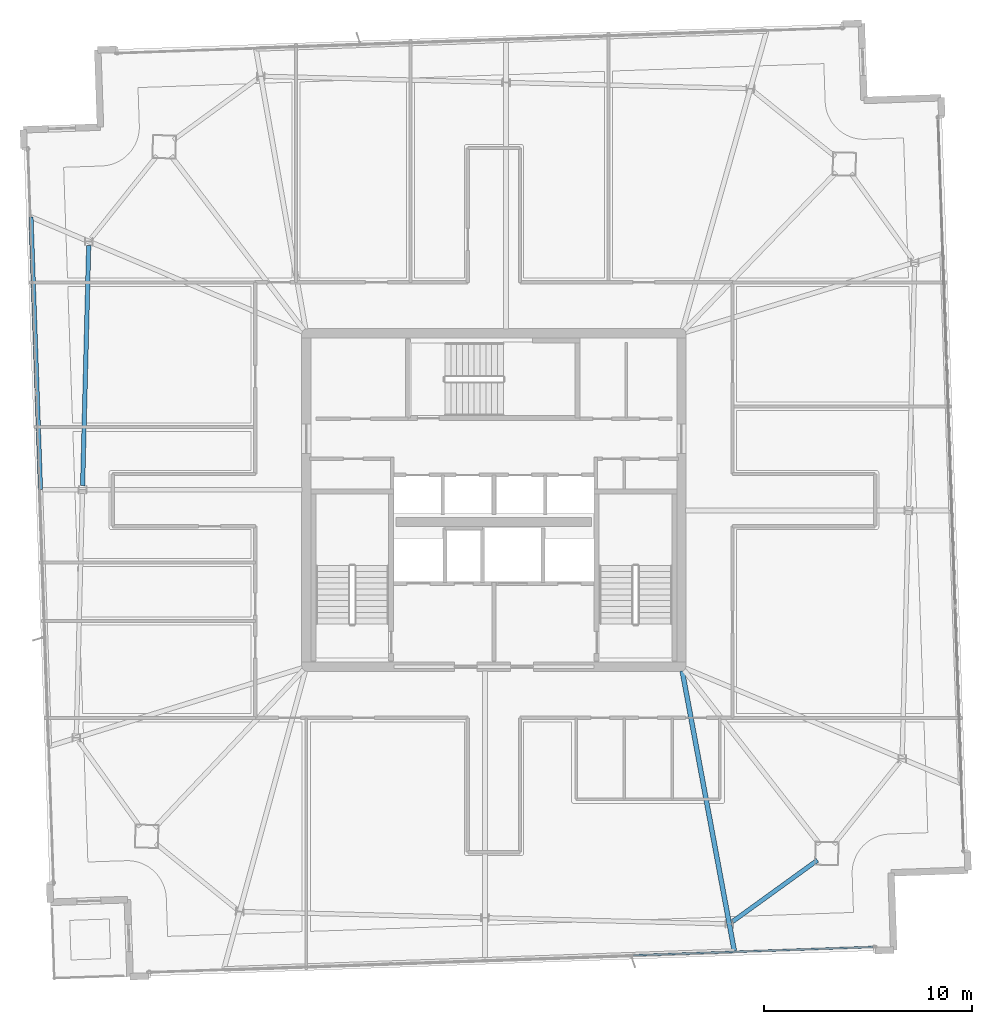
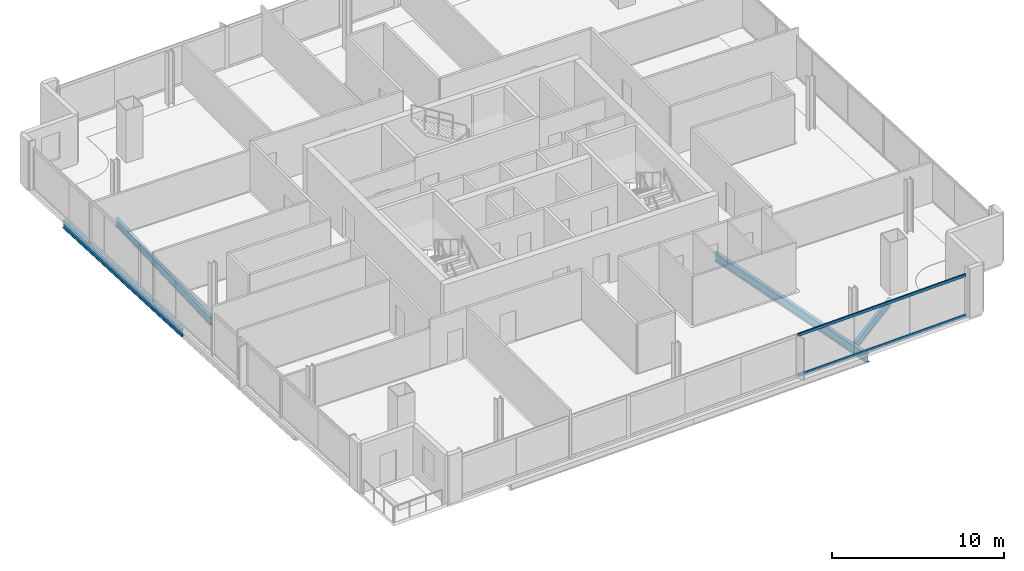
# One storey, part 7 of 23: 4 beams, 2 members, 1 element without a shape of its own.
"""IFC4 building model written with IfcOpenShell, lengths in metres."""

from ifc_helpers import new_model, si_unit, direction, frame, origin, origin_2d, place, context, subcontext, project, spatial, hollow_rectangle, i_section, extrude, material, material_profile, profile_set, type_object, element, aggregate, save


model = new_model("IFC4")

# Units and contexts
model_context = context("Model", 3, precision=1e-05, world=origin(), true_north=direction((0.0, 1.0)))
body_context = subcontext(model_context, "Body", "Model", "MODEL_VIEW")
ifc_project = project(units=[si_unit("LENGTHUNIT", "METRE"), si_unit("AREAUNIT", "SQUARE_METRE"), si_unit("VOLUMEUNIT", "CUBIC_METRE"), si_unit("PLANEANGLEUNIT", "RADIAN"), si_unit("MASSUNIT", "GRAM", prefix="KILO")], contexts=[model_context])

# Site, building, storey
site_placement = place(None, origin())
site = spatial("IfcSite", under=ifc_project, at=site_placement, CompositionType="ELEMENT")
building_placement = place(site_placement, origin())
building = spatial("IfcBuilding", under=site, at=building_placement, Name="Haldenkirk Collegiate Tower", CompositionType="ELEMENT")
storey_placement = place(building_placement, frame((0.0, 0.0, 336.449951171875)))
storey = spatial("IfcBuildingStorey", under=building, at=storey_placement, Name="L85", CompositionType="ELEMENT", Elevation=336.449951171875)

# Beams
ifc_material_1 = material(Name="Steel ASTM A992 Grade 50", Category="steel")
ifc_material_profile_1 = material_profile(ifc_material_1, i_section(OverallWidth=0.22998046875, OverallDepth=0.616943359375, WebThickness=0.01318359375, FlangeThickness=0.022216796875, at=origin_2d()), Name="W24X94")
ifc_profile_set_1 = profile_set([ifc_material_profile_1], Name="Steel ASTM A992 Grade 50")
beam_type_1 = type_object("IfcBeamType", Name="BM-GIRDER-W24X94", PredefinedType="BEAM", material=ifc_profile_set_1)
beam_1_placement = place(storey_placement, frame((47.53857421875, 4.359619140625, -0.568359375), z_axis=(-0.182957696108, 0.983120786798, 0.0), x_axis=(-0.983120786798, -0.182957696108, 0.0)))
element("IfcBeam", 1, at=beam_1_placement, inside=storey, type_object=beam_type_1, Name="L85 primary floor girder 16", PredefinedType="BEAM", context=body_context, shape_type="SweptSolid", body=[
    extrude(i_section(OverallWidth=0.22998046875, OverallDepth=0.616943359375, WebThickness=0.01318359375, FlangeThickness=0.022216796875, at=origin_2d()), origin(), (0.0, 0.0, 1.0), 13.669677734375),
])
ifc_material_profile_2 = material_profile(ifc_material_1, i_section(OverallWidth=0.2099609375, OverallDepth=0.537109375, WebThickness=0.010986328125, FlangeThickness=0.017333984375, at=origin_2d()), Name="W21X68")
ifc_profile_set_2 = profile_set([ifc_material_profile_2], Name="Steel ASTM A992 Grade 50")
beam_type_2 = type_object("IfcBeamType", Name="BM-SPANDREL-W21X68", PredefinedType="SPANDREL", material=ifc_profile_set_2)
beam_2_placement = place(storey_placement, frame((16.552978515625, 38.22412109375, -0.528564453125), z_axis=(-0.025302458902, -0.999679841536, 0.0), x_axis=(0.999679841536, -0.025302458902, 0.0)))
element("IfcBeam", 2, at=beam_2_placement, inside=storey, type_object=beam_type_2, Name="L85 perimeter spandrel beam 10", PredefinedType="SPANDREL", context=body_context, shape_type="SweptSolid", body=[
    extrude(i_section(OverallWidth=0.2099609375, OverallDepth=0.537109375, WebThickness=0.010986328125, FlangeThickness=0.017333984375, at=origin_2d()), origin(), (0.0, 0.0, 1.0), 11.5400390625),
])
beam_3_placement = place(storey_placement, frame((47.44921875, 5.767578125, -0.528564453125), z_axis=(0.810388642646, 0.585892693136, 0.0), x_axis=(-0.585892693136, 0.810388642646, 0.0)))
element("IfcBeam", 3, at=beam_3_placement, inside=storey, type_object=beam_type_2, Name="L85 perimeter spandrel beam 16", PredefinedType="SPANDREL", context=body_context, shape_type="SweptSolid", body=[
    extrude(i_section(OverallWidth=0.2099609375, OverallDepth=0.537109375, WebThickness=0.010986328125, FlangeThickness=0.017333984375, at=origin_2d()), origin(), (0.0, 0.0, 1.0), 5.03076171875),
])
beam_4_placement = place(storey_placement, frame((13.782470703125, 39.584716796875, -0.528564453125), z_axis=(0.034888069704, -0.999391225993, 0.0), x_axis=(0.999391225993, 0.034888069704, 0.0)))
element("IfcBeam", 4, at=beam_4_placement, inside=storey, type_object=beam_type_2, Name="L85 outer facade edge beam 3A", PredefinedType="SPANDREL", context=body_context, shape_type="SweptSolid", body=[
    extrude(i_section(OverallWidth=0.2099609375, OverallDepth=0.537109375, WebThickness=0.010986328125, FlangeThickness=0.017333984375, at=origin_2d()), origin(), (0.0, 0.0, 1.0), 13.093017578125),
])

# Curtain wall, members
ifc_material_2 = material(Name="Anodised architectural bronze aluminium", Category="aluminium")
curtain_wall_type = type_object("IfcCurtainWallType", Name="CW-SYS1B-CONVEX-HI", PredefinedType="USERDEFINED", material=ifc_material_2)
curtain_wall_placement = place(storey_placement, origin())
curtain_wall = element("IfcCurtainWall", 5, at=curtain_wall_placement, inside=storey, type_object=curtain_wall_type, Name="L85 Upper tower high-wind convex bronze unitised curtain wall", ObjectType="UNITISED CURTAIN WALL", PredefinedType="USERDEFINED")
ifc_material_profile_3 = material_profile(ifc_material_2, hollow_rectangle(XDim=0.0849609375, YDim=0.199951171875, WallThickness=0.0048828125, at=origin_2d()), Name="CW-TRN-1B")
ifc_profile_set_3 = profile_set([ifc_material_profile_3], Name="Anodised architectural bronze aluminium")
member_type = type_object("IfcMemberType", Name="CW-TRN-1B", PredefinedType="USERDEFINED", material=ifc_profile_set_3)
member_1_placement = place(storey_placement, frame((54.199462890625, 4.55224609375, 0.04248046875), z_axis=(-0.999390490746, -0.034909124972, 0.0), x_axis=(0.034909124972, -0.999390490746, 0.0)))
member_1 = element("IfcMember", 6, at=member_1_placement, type_object=member_type, Name="CW-1B transom 1.1", ObjectType="TRANSOM", PredefinedType="USERDEFINED", context=body_context, shape_type="SweptSolid", body=[
    extrude(hollow_rectangle(XDim=0.0849609375, YDim=0.199951171875, WallThickness=0.0048828125, at=origin_2d()), origin(), (0.0, 0.0, 1.0), 11.49755859375),
])
member_2_placement = place(storey_placement, frame((54.199462890625, 4.55224609375, 2.905517578125), z_axis=(-0.999390490746, -0.034909124972, 0.0), x_axis=(0.034909124972, -0.999390490746, 0.0)))
member_2 = element("IfcMember", 7, at=member_2_placement, type_object=member_type, Name="CW-1B transom 1.2", ObjectType="TRANSOM", PredefinedType="USERDEFINED", context=body_context, shape_type="SweptSolid", body=[
    extrude(hollow_rectangle(XDim=0.0849609375, YDim=0.199951171875, WallThickness=0.0048828125, at=origin_2d()), origin(), (0.0, 0.0, 1.0), 11.49755859375),
])
aggregate(curtain_wall, [member_1, member_2])

save(model, "model.ifc")
